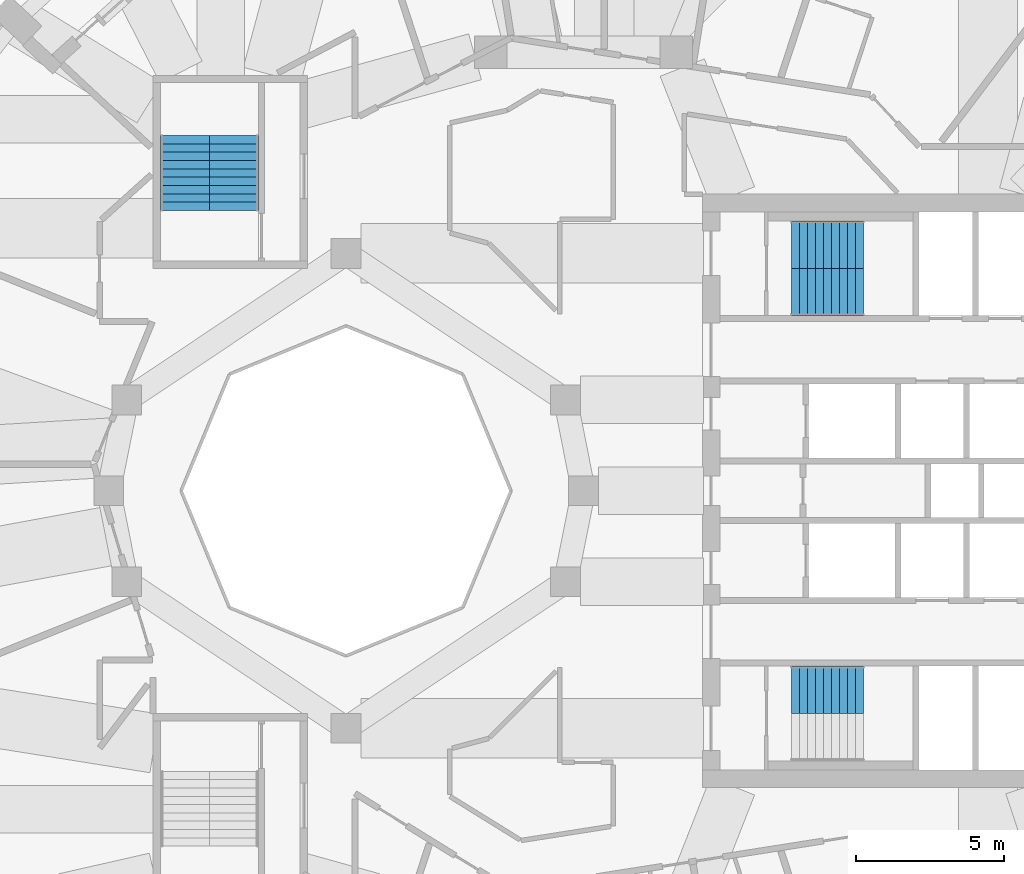
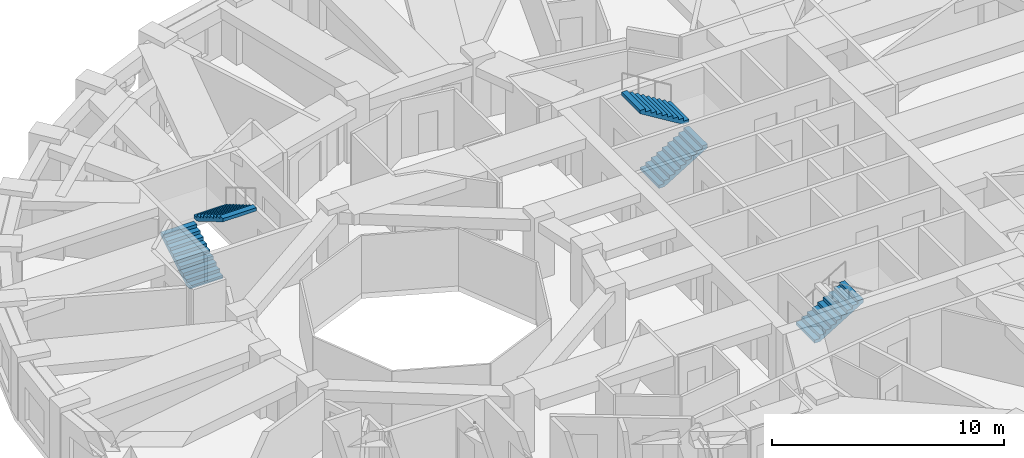
# One storey, part 9 of 12: 5 stair flights, 3 elements without a shape of their own.
"""IFC4 building model written with IfcOpenShell, lengths in metres."""

from ifc_helpers import new_model, si_unit, direction, frame, origin, place, context, subcontext, project, spatial, polyline, outline, extrude, material, type_object, element, aggregate, save


model = new_model("IFC4")

# Units and contexts
model_context = context("Model", 3, precision=1e-05, world=origin(), true_north=direction((0.0, 1.0)))
body_context = subcontext(model_context, "Body", "Model", "MODEL_VIEW")
ifc_project = project(units=[si_unit("LENGTHUNIT", "METRE"), si_unit("AREAUNIT", "SQUARE_METRE"), si_unit("VOLUMEUNIT", "CUBIC_METRE"), si_unit("PLANEANGLEUNIT", "RADIAN"), si_unit("MASSUNIT", "GRAM", prefix="KILO")], contexts=[model_context])

# Site, building, storey
site_placement = place(None, origin())
site = spatial("IfcSite", under=ifc_project, at=site_placement, CompositionType="ELEMENT")
building_placement = place(site_placement, origin())
building = spatial("IfcBuilding", under=site, at=building_placement, Name="Taillehof Tower", CompositionType="ELEMENT")
storey_placement = place(building_placement, frame((0.0, 0.0, 209.0)))
storey = spatial("IfcBuildingStorey", under=building, at=storey_placement, Name="L59", CompositionType="ELEMENT", Elevation=209.0)

# Stair, stair flights
ifc_material_1 = material(Name="Concrete C40/50", Category="concrete")
stair_type = type_object("IfcStairType", Name="Exit stair half-turn", PredefinedType="HALF_TURN_STAIR", material=ifc_material_1)
stair_1_placement = place(storey_placement, origin())
stair_1 = element("IfcStair", 1, at=stair_1_placement, inside=storey, type_object=stair_type, Name="Exit stair S1", PredefinedType="HALF_TURN_STAIR")
ifc_material_2 = material(Name="Concrete C40/50", Category="concrete")
stair_flight_type_1 = type_object("IfcStairFlightType", Name="Stair flight 1600 riser 165.0 going 270", PredefinedType="STRAIGHT", material=ifc_material_2)
stair_flight_1_placement = place(storey_placement, frame((7.0, 6.699951171875, 0.0), z_axis=(0.0, 0.0, 1.0), x_axis=(1.0, 0.0, 0.0)))
stair_flight_1 = element("IfcStairFlight", 2, at=stair_flight_1_placement, type_object=stair_flight_type_1, Name="S1 flight 1", NumberOfRisers=10, NumberOfTreads=9, PredefinedType="STRAIGHT", RiserHeight=0.165, TreadLength=0.27, context=body_context, shape_type="SweptSolid", body=[
    extrude(outline(polyline([(0.0, 0.0), (0.0, 0.00537109375), (0.0, 0.0107421875), (0.0, 0.015869140625), (0.0, 0.021240234375), (0.0, 0.026611328125), (0.0, 0.031982421875), (0.0, 0.037353515625), (0.0, 0.04248046875), (0.0, 0.0478515625), (0.0, 0.05322265625), (0.0, 0.05859375), (0.0, 0.06396484375), (0.0, 0.069091796875), (0.0, 0.074462890625), (0.0, 0.079833984375), (0.0, 0.085205078125), (0.0, 0.090576171875), (0.0, 0.095703125), (0.0, 0.10107421875), (0.0, 0.1064453125), (0.0, 0.11181640625), (0.0, 0.1171875), (0.0, 0.122314453125), (0.0, 0.127685546875), (0.0, 0.133056640625), (0.0, 0.138427734375), (0.0, 0.143798828125), (0.0, 0.14892578125), (0.0, 0.154296875), (0.0, 0.15966796875), (0.0, 0.1650390625), (0.27001953125, 0.1650390625), (0.27001953125, 0.330078125), (0.5400390625, 0.330078125), (0.5400390625, 0.4951171875), (0.81005859375, 0.4951171875), (0.81005859375, 0.659912109375), (1.080078125, 0.659912109375), (1.080078125, 0.824951171875), (1.35009765625, 0.824951171875), (1.35009765625, 0.989990234375), (1.6201171875, 0.989990234375), (1.6201171875, 1.155029296875), (1.889892578125, 1.155029296875), (1.889892578125, 1.320068359375), (2.159912109375, 1.320068359375), (2.159912109375, 1.485107421875), (2.429931640625, 1.485107421875), (2.429931640625, 1.479248046875), (2.429931640625, 1.4736328125), (2.429931640625, 1.468017578125), (2.429931640625, 1.46240234375), (2.429931640625, 1.45654296875), (2.429931640625, 1.450927734375), (2.429931640625, 1.4453125), (2.429931640625, 1.439697265625), (2.429931640625, 1.43408203125), (2.429931640625, 1.42822265625), (2.429931640625, 1.422607421875), (2.429931640625, 1.4169921875), (2.429931640625, 1.411376953125), (2.429931640625, 1.40576171875), (2.429931640625, 1.39990234375), (2.429931640625, 1.394287109375), (2.429931640625, 1.388671875), (2.429931640625, 1.383056640625), (2.429931640625, 1.37744140625), (2.429931640625, 1.37158203125), (2.429931640625, 1.365966796875), (2.429931640625, 1.3603515625), (2.429931640625, 1.354736328125), (2.429931640625, 1.348876953125), (2.429931640625, 1.34326171875), (2.429931640625, 1.337646484375), (2.429931640625, 1.33203125), (2.429931640625, 1.326416015625), (2.429931640625, 1.320556640625), (2.429931640625, 1.31494140625), (2.429931640625, 1.309326171875), (0.287353515625, 0.0), (0.0, 0.0)])), frame((0.0, 0.800048828125, 0.0), z_axis=(0.0, -1.0, 0.0), x_axis=(1.0, 0.0, 0.0)), (0.0, 0.0, 1.0), 1.6),
])
stair_flight_2_placement = place(storey_placement, frame((9.429931640625, 8.300048828125, 1.64990234375), z_axis=(0.0, 0.0, 1.0), x_axis=(-1.0, 0.0, 0.0)))
stair_flight_2 = element("IfcStairFlight", 3, at=stair_flight_2_placement, type_object=stair_flight_type_1, Name="S1 flight 2", NumberOfRisers=10, NumberOfTreads=9, PredefinedType="STRAIGHT", RiserHeight=0.165, TreadLength=0.27, context=body_context, shape_type="SweptSolid", body=[
    extrude(outline(polyline([(0.0, 0.0), (0.0, 0.00537109375), (0.0, 0.0107421875), (0.0, 0.015869140625), (0.0, 0.021240234375), (0.0, 0.026611328125), (0.0, 0.031982421875), (0.0, 0.037353515625), (0.0, 0.04248046875), (0.0, 0.0478515625), (0.0, 0.05322265625), (0.0, 0.05859375), (0.0, 0.06396484375), (0.0, 0.069091796875), (0.0, 0.074462890625), (0.0, 0.079833984375), (0.0, 0.085205078125), (0.0, 0.090576171875), (0.0, 0.095703125), (0.0, 0.10107421875), (0.0, 0.1064453125), (0.0, 0.11181640625), (0.0, 0.1171875), (0.0, 0.122314453125), (0.0, 0.127685546875), (0.0, 0.133056640625), (0.0, 0.138427734375), (0.0, 0.143798828125), (0.0, 0.14892578125), (0.0, 0.154296875), (0.0, 0.15966796875), (0.0, 0.1650390625), (0.27001953125, 0.1650390625), (0.27001953125, 0.330078125), (0.5400390625, 0.330078125), (0.5400390625, 0.4951171875), (0.81005859375, 0.4951171875), (0.81005859375, 0.659912109375), (1.080078125, 0.659912109375), (1.080078125, 0.824951171875), (1.35009765625, 0.824951171875), (1.35009765625, 0.989990234375), (1.6201171875, 0.989990234375), (1.6201171875, 1.155029296875), (1.889892578125, 1.155029296875), (1.889892578125, 1.320068359375), (2.159912109375, 1.320068359375), (2.159912109375, 1.485107421875), (2.429931640625, 1.485107421875), (2.429931640625, 1.479248046875), (2.429931640625, 1.4736328125), (2.429931640625, 1.468017578125), (2.429931640625, 1.46240234375), (2.429931640625, 1.45654296875), (2.429931640625, 1.450927734375), (2.429931640625, 1.4453125), (2.429931640625, 1.439697265625), (2.429931640625, 1.43408203125), (2.429931640625, 1.42822265625), (2.429931640625, 1.422607421875), (2.429931640625, 1.4169921875), (2.429931640625, 1.411376953125), (2.429931640625, 1.40576171875), (2.429931640625, 1.39990234375), (2.429931640625, 1.394287109375), (2.429931640625, 1.388671875), (2.429931640625, 1.383056640625), (2.429931640625, 1.37744140625), (2.429931640625, 1.37158203125), (2.429931640625, 1.365966796875), (2.429931640625, 1.3603515625), (2.429931640625, 1.354736328125), (2.429931640625, 1.348876953125), (2.429931640625, 1.34326171875), (2.429931640625, 1.337646484375), (2.429931640625, 1.33203125), (2.429931640625, 1.326416015625), (2.429931640625, 1.320556640625), (2.429931640625, 1.31494140625), (2.429931640625, 1.309326171875), (0.287353515625, 0.0), (0.0, 0.0)])), frame((0.0, 0.800048828125, 0.0), z_axis=(0.0, -1.0, 0.0), x_axis=(1.0, 0.0, 0.0)), (0.0, 0.0, 1.0), 1.6),
])
aggregate(stair_1, [stair_flight_1, stair_flight_2])

# Stair, stair flight
stair_2_placement = place(storey_placement, origin())
stair_2 = element("IfcStair", 4, at=stair_2_placement, inside=storey, type_object=stair_type, Name="Exit stair S2", PredefinedType="HALF_TURN_STAIR")
stair_flight_3_placement = place(storey_placement, frame((7.0, -6.699951171875, 0.0), z_axis=(0.0, 0.0, 1.0), x_axis=(1.0, 0.0, 0.0)))
stair_flight_3 = element("IfcStairFlight", 5, at=stair_flight_3_placement, type_object=stair_flight_type_1, Name="S2 flight 1", NumberOfRisers=10, NumberOfTreads=9, PredefinedType="STRAIGHT", RiserHeight=0.165, TreadLength=0.27, context=body_context, shape_type="SweptSolid", body=[
    extrude(outline(polyline([(0.0, 0.0), (0.0, 0.00537109375), (0.0, 0.0107421875), (0.0, 0.015869140625), (0.0, 0.021240234375), (0.0, 0.026611328125), (0.0, 0.031982421875), (0.0, 0.037353515625), (0.0, 0.04248046875), (0.0, 0.0478515625), (0.0, 0.05322265625), (0.0, 0.05859375), (0.0, 0.06396484375), (0.0, 0.069091796875), (0.0, 0.074462890625), (0.0, 0.079833984375), (0.0, 0.085205078125), (0.0, 0.090576171875), (0.0, 0.095703125), (0.0, 0.10107421875), (0.0, 0.1064453125), (0.0, 0.11181640625), (0.0, 0.1171875), (0.0, 0.122314453125), (0.0, 0.127685546875), (0.0, 0.133056640625), (0.0, 0.138427734375), (0.0, 0.143798828125), (0.0, 0.14892578125), (0.0, 0.154296875), (0.0, 0.15966796875), (0.0, 0.1650390625), (0.27001953125, 0.1650390625), (0.27001953125, 0.330078125), (0.5400390625, 0.330078125), (0.5400390625, 0.4951171875), (0.81005859375, 0.4951171875), (0.81005859375, 0.659912109375), (1.080078125, 0.659912109375), (1.080078125, 0.824951171875), (1.35009765625, 0.824951171875), (1.35009765625, 0.989990234375), (1.6201171875, 0.989990234375), (1.6201171875, 1.155029296875), (1.889892578125, 1.155029296875), (1.889892578125, 1.320068359375), (2.159912109375, 1.320068359375), (2.159912109375, 1.485107421875), (2.429931640625, 1.485107421875), (2.429931640625, 1.479248046875), (2.429931640625, 1.4736328125), (2.429931640625, 1.468017578125), (2.429931640625, 1.46240234375), (2.429931640625, 1.45654296875), (2.429931640625, 1.450927734375), (2.429931640625, 1.4453125), (2.429931640625, 1.439697265625), (2.429931640625, 1.43408203125), (2.429931640625, 1.42822265625), (2.429931640625, 1.422607421875), (2.429931640625, 1.4169921875), (2.429931640625, 1.411376953125), (2.429931640625, 1.40576171875), (2.429931640625, 1.39990234375), (2.429931640625, 1.394287109375), (2.429931640625, 1.388671875), (2.429931640625, 1.383056640625), (2.429931640625, 1.37744140625), (2.429931640625, 1.37158203125), (2.429931640625, 1.365966796875), (2.429931640625, 1.3603515625), (2.429931640625, 1.354736328125), (2.429931640625, 1.348876953125), (2.429931640625, 1.34326171875), (2.429931640625, 1.337646484375), (2.429931640625, 1.33203125), (2.429931640625, 1.326416015625), (2.429931640625, 1.320556640625), (2.429931640625, 1.31494140625), (2.429931640625, 1.309326171875), (0.287353515625, 0.0), (0.0, 0.0)])), frame((0.0, 0.800048828125, 0.0), z_axis=(0.0, -1.0, 0.0), x_axis=(1.0, 0.0, 0.0)), (0.0, 0.0, 1.0), 1.6),
])
aggregate(stair_2, [stair_flight_3])

# Stair, stair flights
stair_3_placement = place(storey_placement, origin())
stair_3 = element("IfcStair", 6, at=stair_3_placement, inside=storey, type_object=stair_type, Name="Exit stair S3", PredefinedType="HALF_TURN_STAIR")
ifc_material_3 = material(Name="Concrete C40/50", Category="concrete")
stair_flight_type_2 = type_object("IfcStairFlightType", Name="Stair flight 1650 riser 165.0 going 280", PredefinedType="STRAIGHT", material=ifc_material_3)
stair_flight_4_placement = place(storey_placement, frame((-13.425048828125, 9.449951171875, 0.0), z_axis=(0.0, 0.0, 1.0), x_axis=(0.0, 1.0, 0.0)))
stair_flight_4 = element("IfcStairFlight", 7, at=stair_flight_4_placement, type_object=stair_flight_type_2, Name="S3 flight 1", NumberOfRisers=10, NumberOfTreads=9, PredefinedType="STRAIGHT", RiserHeight=0.165, TreadLength=0.28, context=body_context, shape_type="SweptSolid", body=[
    extrude(outline(polyline([(0.0, 0.0), (0.0, 0.00537109375), (0.0, 0.0107421875), (0.0, 0.015869140625), (0.0, 0.021240234375), (0.0, 0.026611328125), (0.0, 0.031982421875), (0.0, 0.037353515625), (0.0, 0.04248046875), (0.0, 0.0478515625), (0.0, 0.05322265625), (0.0, 0.05859375), (0.0, 0.06396484375), (0.0, 0.069091796875), (0.0, 0.074462890625), (0.0, 0.079833984375), (0.0, 0.085205078125), (0.0, 0.090576171875), (0.0, 0.095703125), (0.0, 0.10107421875), (0.0, 0.1064453125), (0.0, 0.11181640625), (0.0, 0.1171875), (0.0, 0.122314453125), (0.0, 0.127685546875), (0.0, 0.133056640625), (0.0, 0.138427734375), (0.0, 0.143798828125), (0.0, 0.14892578125), (0.0, 0.154296875), (0.0, 0.15966796875), (0.0, 0.1650390625), (0.280029296875, 0.1650390625), (0.280029296875, 0.330078125), (0.56005859375, 0.330078125), (0.56005859375, 0.4951171875), (0.840087890625, 0.4951171875), (0.840087890625, 0.659912109375), (1.1201171875, 0.659912109375), (1.1201171875, 0.824951171875), (1.39990234375, 0.824951171875), (1.39990234375, 0.989990234375), (1.679931640625, 0.989990234375), (1.679931640625, 1.155029296875), (1.9599609375, 1.155029296875), (1.9599609375, 1.320068359375), (2.239990234375, 1.320068359375), (2.239990234375, 1.485107421875), (2.52001953125, 1.485107421875), (2.52001953125, 1.4794921875), (2.52001953125, 1.473876953125), (2.52001953125, 1.46826171875), (2.52001953125, 1.462646484375), (2.52001953125, 1.45703125), (2.52001953125, 1.451416015625), (2.52001953125, 1.44580078125), (2.52001953125, 1.440185546875), (2.52001953125, 1.4345703125), (2.52001953125, 1.428955078125), (2.52001953125, 1.42333984375), (2.52001953125, 1.417724609375), (2.52001953125, 1.412109375), (2.52001953125, 1.406494140625), (2.52001953125, 1.40087890625), (2.52001953125, 1.395263671875), (2.52001953125, 1.3896484375), (2.52001953125, 1.384033203125), (2.52001953125, 1.37841796875), (2.52001953125, 1.372802734375), (2.52001953125, 1.3671875), (2.52001953125, 1.361572265625), (2.52001953125, 1.35595703125), (2.52001953125, 1.350341796875), (2.52001953125, 1.3447265625), (2.52001953125, 1.339111328125), (2.52001953125, 1.33349609375), (2.52001953125, 1.327880859375), (2.52001953125, 1.322265625), (2.52001953125, 1.316650390625), (2.52001953125, 1.31103515625), (0.295166015625, 0.0), (0.0, 0.0)])), frame((0.0, 0.824951171875, 0.0), z_axis=(0.0, -1.0, 0.0), x_axis=(1.0, 0.0, 0.0)), (0.0, 0.0, 1.0), 1.65),
])
stair_flight_5_placement = place(storey_placement, frame((-11.77490234375, 11.969970703125, 1.64990234375), z_axis=(0.0, 0.0, 1.0), x_axis=(0.0, -1.0, 0.0)))
stair_flight_5 = element("IfcStairFlight", 8, at=stair_flight_5_placement, type_object=stair_flight_type_2, Name="S3 flight 2", NumberOfRisers=10, NumberOfTreads=9, PredefinedType="STRAIGHT", RiserHeight=0.165, TreadLength=0.28, context=body_context, shape_type="SweptSolid", body=[
    extrude(outline(polyline([(0.0, 0.0), (0.0, 0.00537109375), (0.0, 0.0107421875), (0.0, 0.015869140625), (0.0, 0.021240234375), (0.0, 0.026611328125), (0.0, 0.031982421875), (0.0, 0.037353515625), (0.0, 0.04248046875), (0.0, 0.0478515625), (0.0, 0.05322265625), (0.0, 0.05859375), (0.0, 0.06396484375), (0.0, 0.069091796875), (0.0, 0.074462890625), (0.0, 0.079833984375), (0.0, 0.085205078125), (0.0, 0.090576171875), (0.0, 0.095703125), (0.0, 0.10107421875), (0.0, 0.1064453125), (0.0, 0.11181640625), (0.0, 0.1171875), (0.0, 0.122314453125), (0.0, 0.127685546875), (0.0, 0.133056640625), (0.0, 0.138427734375), (0.0, 0.143798828125), (0.0, 0.14892578125), (0.0, 0.154296875), (0.0, 0.15966796875), (0.0, 0.1650390625), (0.280029296875, 0.1650390625), (0.280029296875, 0.330078125), (0.56005859375, 0.330078125), (0.56005859375, 0.4951171875), (0.840087890625, 0.4951171875), (0.840087890625, 0.659912109375), (1.1201171875, 0.659912109375), (1.1201171875, 0.824951171875), (1.39990234375, 0.824951171875), (1.39990234375, 0.989990234375), (1.679931640625, 0.989990234375), (1.679931640625, 1.155029296875), (1.9599609375, 1.155029296875), (1.9599609375, 1.320068359375), (2.239990234375, 1.320068359375), (2.239990234375, 1.485107421875), (2.52001953125, 1.485107421875), (2.52001953125, 1.4794921875), (2.52001953125, 1.473876953125), (2.52001953125, 1.46826171875), (2.52001953125, 1.462646484375), (2.52001953125, 1.45703125), (2.52001953125, 1.451416015625), (2.52001953125, 1.44580078125), (2.52001953125, 1.440185546875), (2.52001953125, 1.4345703125), (2.52001953125, 1.428955078125), (2.52001953125, 1.42333984375), (2.52001953125, 1.417724609375), (2.52001953125, 1.412109375), (2.52001953125, 1.406494140625), (2.52001953125, 1.40087890625), (2.52001953125, 1.395263671875), (2.52001953125, 1.3896484375), (2.52001953125, 1.384033203125), (2.52001953125, 1.37841796875), (2.52001953125, 1.372802734375), (2.52001953125, 1.3671875), (2.52001953125, 1.361572265625), (2.52001953125, 1.35595703125), (2.52001953125, 1.350341796875), (2.52001953125, 1.3447265625), (2.52001953125, 1.339111328125), (2.52001953125, 1.33349609375), (2.52001953125, 1.327880859375), (2.52001953125, 1.322265625), (2.52001953125, 1.316650390625), (2.52001953125, 1.31103515625), (0.295166015625, 0.0), (0.0, 0.0)])), frame((0.0, 0.824951171875, 0.0), z_axis=(0.0, -1.0, 0.0), x_axis=(1.0, 0.0, 0.0)), (0.0, 0.0, 1.0), 1.65),
])
aggregate(stair_3, [stair_flight_4, stair_flight_5])

save(model, "model.ifc")
